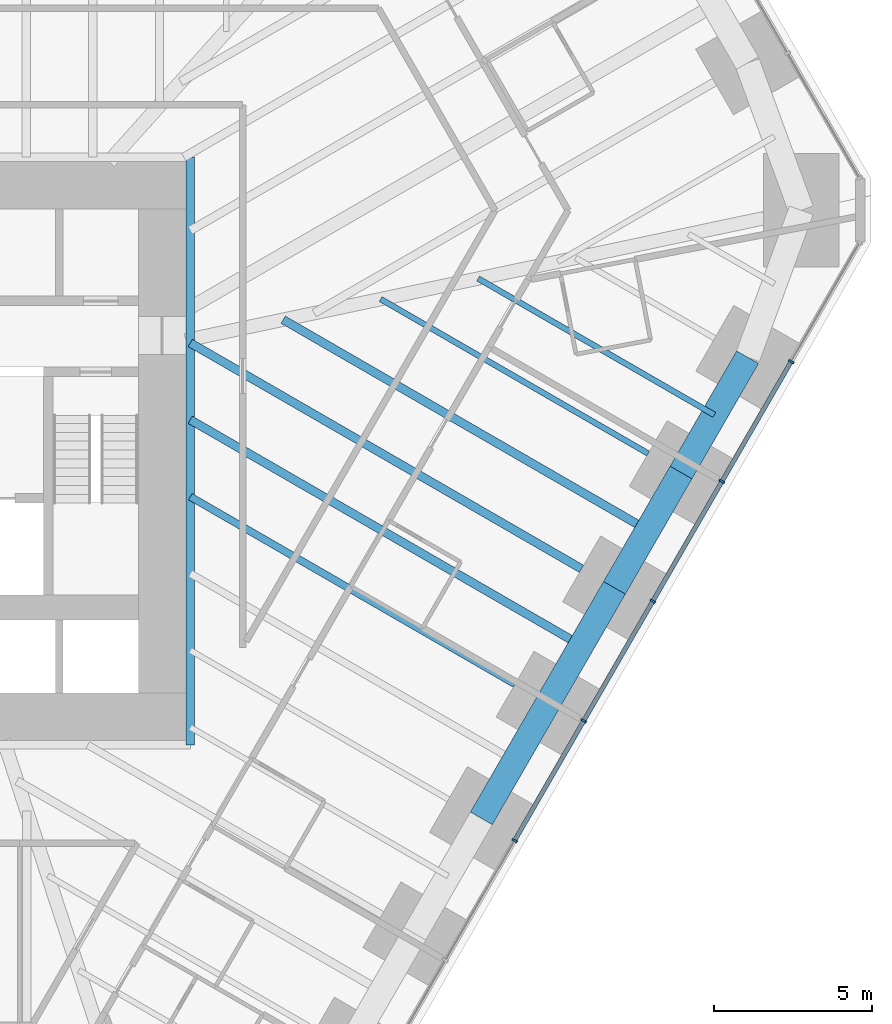
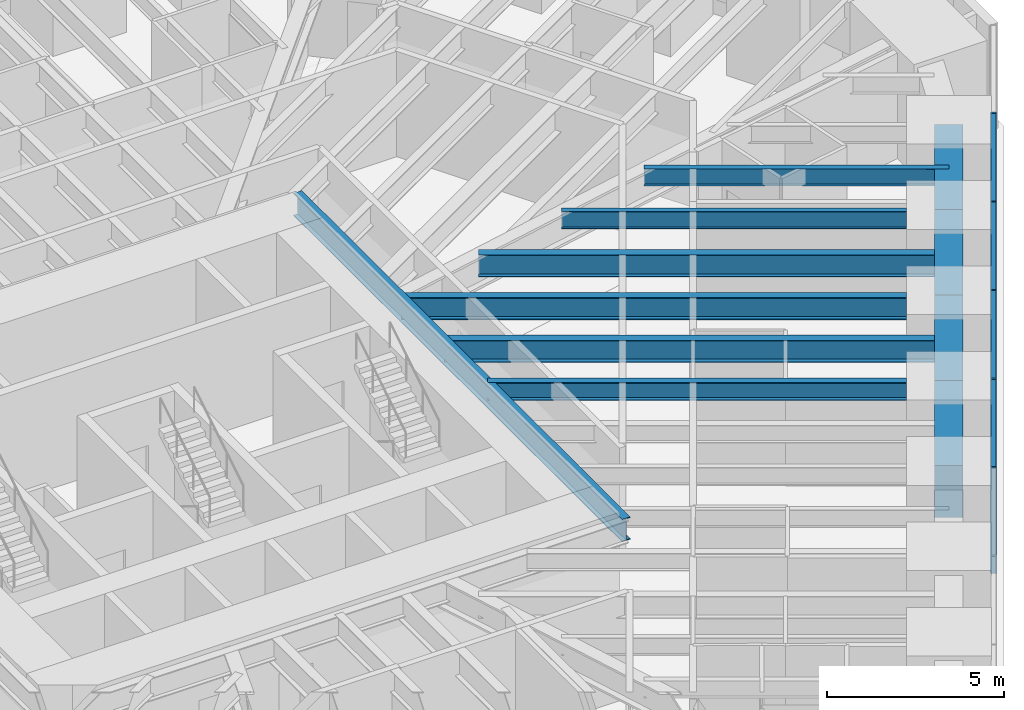
# One storey, part 6 of 17: 11 beams, 9 members, 1 element without a shape of its own.
"""IFC4 building model written with IfcOpenShell, lengths in metres."""

from ifc_helpers import new_model, si_unit, direction, frame, origin, origin_2d, place, context, subcontext, project, spatial, rectangle, i_section, extrude, material, material_profile, profile_set, type_object, element, aggregate, save


model = new_model("IFC4")

# Units and contexts
model_context = context("Model", 3, precision=1e-05, world=origin(), true_north=direction((0.0, 1.0)))
body_context = subcontext(model_context, "Body", "Model", "MODEL_VIEW")
ifc_project = project(units=[si_unit("LENGTHUNIT", "METRE"), si_unit("AREAUNIT", "SQUARE_METRE"), si_unit("VOLUMEUNIT", "CUBIC_METRE"), si_unit("PLANEANGLEUNIT", "RADIAN"), si_unit("MASSUNIT", "GRAM", prefix="KILO")], contexts=[model_context])

# Site, building, storey
site_placement = place(None, origin())
site = spatial("IfcSite", under=ifc_project, at=site_placement, CompositionType="ELEMENT")
building_placement = place(site_placement, origin())
building = spatial("IfcBuilding", under=site, at=building_placement, Name="Sandreach Pilgrim Tower", CompositionType="ELEMENT")
storey_placement = place(building_placement, frame((0.0, 0.0, 34.39990234375)))
storey = spatial("IfcBuildingStorey", under=building, at=storey_placement, Name="L07", CompositionType="ELEMENT", Elevation=34.39990234375)

# Curtain wall, members
ifc_material_1 = material(Name="Aluminium framed curtain wall", Category="aluminium")
curtain_wall_type = type_object("IfcCurtainWallType", Name="Hostel tower curtain wall", PredefinedType="NOTDEFINED", material=ifc_material_1)
curtain_wall_placement = place(storey_placement, origin())
curtain_wall = element("IfcCurtainWall", 1, at=curtain_wall_placement, inside=storey, type_object=curtain_wall_type, Name="CW-1 L07 SE", PredefinedType="NOTDEFINED")
ifc_material_2 = material(Name="Aluminium extrusion", Category="aluminium")
ifc_material_profile_1 = material_profile(ifc_material_2, rectangle(XDim=0.06494140625, YDim=0.179931640625, at=origin_2d()), Name="CW-1M 65X180")
ifc_profile_set_1 = profile_set([ifc_material_profile_1], Name="Aluminium extrusion")
member_type_1 = type_object("IfcMemberType", Name="CW-1 mullion", PredefinedType="MULLION", material=ifc_profile_set_1)
member_1_placement = place(storey_placement, frame((28.390380859375, 1.2763671875, 0.0), z_axis=(0.0, 0.0, 1.0), x_axis=(-0.5, -0.866025403784, 0.0)))
member_1 = element("IfcMember", 2, at=member_1_placement, type_object=member_type_1, Name="CW-1 mullion 2", PredefinedType="MULLION", context=body_context, shape_type="SweptSolid", body=[
    extrude(rectangle(XDim=0.06494140625, YDim=0.179931640625, at=origin_2d()), origin(), (0.0, 0.0, 1.0), 3.64013671875),
])
member_2_placement = place(storey_placement, frame((26.20458984375, -2.509521484375, 0.0), z_axis=(0.0, 0.0, 1.0), x_axis=(-0.5, -0.866025403784, 0.0)))
member_2 = element("IfcMember", 3, at=member_2_placement, type_object=member_type_1, Name="CW-1 mullion 3", PredefinedType="MULLION", context=body_context, shape_type="SweptSolid", body=[
    extrude(rectangle(XDim=0.06494140625, YDim=0.179931640625, at=origin_2d()), origin(), (0.0, 0.0, 1.0), 3.64013671875),
])
member_3_placement = place(storey_placement, frame((24.018798828125, -6.29541015625, 0.0), z_axis=(0.0, 0.0, 1.0), x_axis=(-0.5, -0.866025403784, 0.0)))
member_3 = element("IfcMember", 4, at=member_3_placement, type_object=member_type_1, Name="CW-1 mullion 4", PredefinedType="MULLION", context=body_context, shape_type="SweptSolid", body=[
    extrude(rectangle(XDim=0.06494140625, YDim=0.179931640625, at=origin_2d()), origin(), (0.0, 0.0, 1.0), 3.64013671875),
])
member_4_placement = place(storey_placement, frame((21.8330078125, -10.081298828125, 0.0), z_axis=(0.0, 0.0, 1.0), x_axis=(-0.5, -0.866025403784, 0.0)))
member_4 = element("IfcMember", 5, at=member_4_placement, type_object=member_type_1, Name="CW-1 mullion 5", PredefinedType="MULLION", context=body_context, shape_type="SweptSolid", body=[
    extrude(rectangle(XDim=0.06494140625, YDim=0.179931640625, at=origin_2d()), origin(), (0.0, 0.0, 1.0), 3.64013671875),
])
member_5_placement = place(storey_placement, frame((19.647216796875, -13.8671875, 0.0), z_axis=(0.0, 0.0, 1.0), x_axis=(-0.5, -0.866025403784, 0.0)))
member_5 = element("IfcMember", 6, at=member_5_placement, type_object=member_type_1, Name="CW-1 mullion 6", PredefinedType="MULLION", context=body_context, shape_type="SweptSolid", body=[
    extrude(rectangle(XDim=0.06494140625, YDim=0.179931640625, at=origin_2d()), origin(), (0.0, 0.0, 1.0), 3.64013671875),
])
ifc_material_3 = material(Name="Aluminium extrusion", Category="aluminium")
ifc_material_profile_2 = material_profile(ifc_material_3, rectangle(XDim=0.139892578125, YDim=0.070068359375, at=origin_2d()), Name="CW-1T 140X70")
ifc_profile_set_2 = profile_set([ifc_material_profile_2], Name="Aluminium extrusion")
member_type_2 = type_object("IfcMemberType", Name="CW-1 transom", PredefinedType="USERDEFINED", material=ifc_profile_set_2)
member_6_placement = place(storey_placement, frame((28.374267578125, 1.248046875, 3.60498046875), z_axis=(-0.500016891966, -0.866015650984, 0.0), x_axis=(0.866015650984, -0.500016891966, 0.0)))
member_6 = element("IfcMember", 7, at=member_6_placement, type_object=member_type_2, Name="CW-1 head transom 2", ObjectType="TRANSOM", PredefinedType="USERDEFINED", context=body_context, shape_type="SweptSolid", body=[
    extrude(rectangle(XDim=0.139892578125, YDim=0.070068359375, at=origin_2d()), origin(), (0.0, 0.0, 1.0), 4.306396484375),
])
member_7_placement = place(storey_placement, frame((26.1884765625, -2.537841796875, 3.60498046875), z_axis=(-0.500016891966, -0.866015650984, 0.0), x_axis=(0.866015650984, -0.500016891966, 0.0)))
member_7 = element("IfcMember", 8, at=member_7_placement, type_object=member_type_2, Name="CW-1 head transom 3", ObjectType="TRANSOM", PredefinedType="USERDEFINED", context=body_context, shape_type="SweptSolid", body=[
    extrude(rectangle(XDim=0.139892578125, YDim=0.070068359375, at=origin_2d()), origin(), (0.0, 0.0, 1.0), 4.306396484375),
])
member_8_placement = place(storey_placement, frame((24.002685546875, -6.32373046875, 3.60498046875), z_axis=(-0.500016891966, -0.866015650984, 0.0), x_axis=(0.866015650984, -0.500016891966, 0.0)))
member_8 = element("IfcMember", 9, at=member_8_placement, type_object=member_type_2, Name="CW-1 head transom 4", ObjectType="TRANSOM", PredefinedType="USERDEFINED", context=body_context, shape_type="SweptSolid", body=[
    extrude(rectangle(XDim=0.139892578125, YDim=0.070068359375, at=origin_2d()), origin(), (0.0, 0.0, 1.0), 4.306396484375),
])
member_9_placement = place(storey_placement, frame((21.81689453125, -10.109619140625, 3.60498046875), z_axis=(-0.500016891966, -0.866015650984, 0.0), x_axis=(0.866015650984, -0.500016891966, 0.0)))
member_9 = element("IfcMember", 10, at=member_9_placement, type_object=member_type_2, Name="CW-1 head transom 5", ObjectType="TRANSOM", PredefinedType="USERDEFINED", context=body_context, shape_type="SweptSolid", body=[
    extrude(rectangle(XDim=0.139892578125, YDim=0.070068359375, at=origin_2d()), origin(), (0.0, 0.0, 1.0), 4.306396484375),
])
aggregate(curtain_wall, [member_1, member_2, member_3, member_4, member_5, member_6, member_7, member_8, member_9])

# Beams
ifc_material_4 = material(Name="Steel ASTM A992 Grade 50", Category="steel")
ifc_material_profile_3 = material_profile(ifc_material_4, i_section(OverallWidth=0.2666015625, OverallDepth=0.77978515625, WebThickness=0.0166015625, FlangeThickness=0.030029296875, at=origin_2d()), Name="W30X148")
ifc_profile_set_3 = profile_set([ifc_material_profile_3], Name="Steel ASTM A992 Grade 50")
beam_type_1 = type_object("IfcBeamType", Name="Core edge beam W30X148", PredefinedType="BEAM", material=ifc_profile_set_3)
beam_1_placement = place(storey_placement, frame((9.393310546875, 7.743408203125, 3.250244140625), z_axis=(0.0, -1.0, 0.0), x_axis=(1.0, 0.0, 0.0)))
element("IfcBeam", 11, at=beam_1_placement, inside=storey, type_object=beam_type_1, Name="BM L07 CEE", PredefinedType="BEAM", context=body_context, shape_type="SweptSolid", body=[
    extrude(i_section(OverallWidth=0.2666015625, OverallDepth=0.77978515625, WebThickness=0.0166015625, FlangeThickness=0.030029296875, at=origin_2d()), origin(), (0.0, 0.0, 1.0), 18.586669921875),
])
ifc_material_5 = material(Name="Steel ASTM A992 Grade 50", Category="steel")
ifc_material_profile_4 = material_profile(ifc_material_5, i_section(OverallWidth=0.1787109375, OverallDepth=0.60205078125, WebThickness=0.010986328125, FlangeThickness=0.014892578125, at=origin_2d()), Name="W24X62")
ifc_profile_set_4 = profile_set([ifc_material_profile_4], Name="Steel ASTM A992 Grade 50")
beam_type_2 = type_object("IfcBeamType", Name="Floor beam W24X62", PredefinedType="BEAM", material=ifc_profile_set_4)
beam_2_placement = place(storey_placement, frame((23.8720703125, -1.629638671875, 3.339111328125), z_axis=(-0.866025751498, 0.499999397742, 0.0), x_axis=(-0.499999397742, -0.866025751498, 0.0)))
element("IfcBeam", 12, at=beam_2_placement, inside=storey, type_object=beam_type_2, Name="BM L07 F15", PredefinedType="BEAM", context=body_context, shape_type="SweptSolid", body=[
    extrude(i_section(OverallWidth=0.1787109375, OverallDepth=0.60205078125, WebThickness=0.010986328125, FlangeThickness=0.014892578125, at=origin_2d()), origin(), (0.0, 0.0, 1.0), 9.767578125),
])
beam_3_placement = place(storey_placement, frame((25.9638671875, -0.40673828125, 3.339111328125), z_axis=(-0.866020100198, 0.500009185969, 0.0), x_axis=(-0.500009185969, -0.866020100198, 0.0)))
element("IfcBeam", 13, at=beam_3_placement, inside=storey, type_object=beam_type_2, Name="BM L07 FM14", PredefinedType="BEAM", context=body_context, shape_type="SweptSolid", body=[
    extrude(i_section(OverallWidth=0.1787109375, OverallDepth=0.60205078125, WebThickness=0.010986328125, FlangeThickness=0.014892578125, at=origin_2d()), origin(), (0.0, 0.0, 1.0), 8.623291015625),
])
ifc_material_6 = material(Name="Steel ASTM A992 Grade 50", Category="steel")
ifc_material_profile_5 = material_profile(ifc_material_6, i_section(OverallWidth=0.23046875, OverallDepth=0.6171875, WebThickness=0.01318359375, FlangeThickness=0.022216796875, at=origin_2d()), Name="W24X94")
ifc_profile_set_5 = profile_set([ifc_material_profile_5], Name="Steel ASTM A992 Grade 50")
beam_type_3 = type_object("IfcBeamType", Name="Floor beam W24X94", PredefinedType="BEAM", material=ifc_profile_set_5)
beam_4_placement = place(storey_placement, frame((19.662353515625, -8.92138671875, 3.33154296875), z_axis=(-0.866029924088, 0.499992170523, 0.0), x_axis=(-0.499992170523, -0.866029924088, 0.0)))
element("IfcBeam", 14, at=beam_4_placement, inside=storey, type_object=beam_type_3, Name="BM L07 F17", PredefinedType="BEAM", context=body_context, shape_type="SweptSolid", body=[
    extrude(i_section(OverallWidth=0.23046875, OverallDepth=0.6171875, WebThickness=0.01318359375, FlangeThickness=0.022216796875, at=origin_2d()), origin(), (0.0, 0.0, 1.0), 11.857666015625),
])
ifc_material_7 = material(Name="Steel ASTM A992 Grade 50", Category="steel")
ifc_material_profile_6 = material_profile(ifc_material_7, i_section(OverallWidth=0.2666015625, OverallDepth=0.761962890625, WebThickness=0.014404296875, FlangeThickness=0.021484375, at=origin_2d()), Name="W30X116")
ifc_profile_set_6 = profile_set([ifc_material_profile_6], Name="Steel ASTM A992 Grade 50")
beam_type_4 = type_object("IfcBeamType", Name="Floor beam W30X116", PredefinedType="BEAM", material=ifc_profile_set_6)
beam_5_placement = place(storey_placement, frame((21.76708984375, -5.275390625, 3.259033203125), z_axis=(-0.866024247282, 0.500002003116, 0.0), x_axis=(-0.500002003116, -0.866024247282, 0.0)))
element("IfcBeam", 15, at=beam_5_placement, inside=storey, type_object=beam_type_4, Name="BM L07 F16", PredefinedType="BEAM", context=body_context, shape_type="SweptSolid", body=[
    extrude(i_section(OverallWidth=0.2666015625, OverallDepth=0.761962890625, WebThickness=0.014404296875, FlangeThickness=0.021484375, at=origin_2d()), origin(), (0.0, 0.0, 1.0), 14.2880859375),
])
beam_6_placement = place(storey_placement, frame((23.85888671875, -4.052490234375, 3.259033203125), z_axis=(-0.866029213426, 0.499993401449, 0.0), x_axis=(-0.499993401449, -0.866029213426, 0.0)))
element("IfcBeam", 16, at=beam_6_placement, inside=storey, type_object=beam_type_4, Name="BM L07 FM15", PredefinedType="BEAM", context=body_context, shape_type="SweptSolid", body=[
    extrude(i_section(OverallWidth=0.2666015625, OverallDepth=0.761962890625, WebThickness=0.014404296875, FlangeThickness=0.021484375, at=origin_2d()), origin(), (0.0, 0.0, 1.0), 13.311767578125),
])
beam_7_placement = place(storey_placement, frame((21.75390625, -7.698486328125, 3.259033203125), z_axis=(-0.866022935671, 0.500004274874, 0.0), x_axis=(-0.500004274874, -0.866022935671, 0.0)))
element("IfcBeam", 17, at=beam_7_placement, inside=storey, type_object=beam_type_4, Name="BM L07 FM16", PredefinedType="BEAM", context=body_context, shape_type="SweptSolid", body=[
    extrude(i_section(OverallWidth=0.2666015625, OverallDepth=0.761962890625, WebThickness=0.014404296875, FlangeThickness=0.021484375, at=origin_2d()), origin(), (0.0, 0.0, 1.0), 14.27294921875),
])
ifc_material_8 = material(Name="Concrete 10000 psi", Category="concrete")
ifc_material_profile_7 = material_profile(ifc_material_8, rectangle(XDim=0.800048828125, YDim=1.800048828125, at=origin_2d()), Name="RC800X1800")
ifc_profile_set_7 = profile_set([ifc_material_profile_7], Name="Concrete 10000 psi")
beam_type_5 = type_object("IfcBeamType", Name="Spandrel beam RC800X1800", PredefinedType="SPANDREL", material=ifc_profile_set_7)
beam_8_placement = place(storey_placement, frame((27.016357421875, 1.416259765625, 2.739990234375), z_axis=(-0.499993523031, -0.866029143232, 0.0), x_axis=(0.866029143232, -0.499993523031, 0.0)))
element("IfcBeam", 18, at=beam_8_placement, inside=storey, type_object=beam_type_5, Name="BM L07 SP14", PredefinedType="SPANDREL", context=body_context, shape_type="SweptSolid", body=[
    extrude(rectangle(XDim=0.800048828125, YDim=1.800048828125, at=origin_2d()), origin(), (0.0, 0.0, 1.0), 4.2099609375),
])
beam_9_placement = place(storey_placement, frame((24.911376953125, -2.229736328125, 2.739990234375), z_axis=(-0.50001863446, -0.866014644907, 0.0), x_axis=(0.866014644907, -0.50001863446, 0.0)))
element("IfcBeam", 19, at=beam_9_placement, inside=storey, type_object=beam_type_5, Name="BM L07 SP15", PredefinedType="SPANDREL", context=body_context, shape_type="SweptSolid", body=[
    extrude(rectangle(XDim=0.800048828125, YDim=1.800048828125, at=origin_2d()), origin(), (0.0, 0.0, 1.0), 4.209716796875),
])
beam_10_placement = place(storey_placement, frame((22.806396484375, -5.87548828125, 2.739990234375), z_axis=(-0.499993523031, -0.866029143232, 0.0), x_axis=(0.866029143232, -0.499993523031, 0.0)))
element("IfcBeam", 20, at=beam_10_placement, inside=storey, type_object=beam_type_5, Name="BM L07 SP16", PredefinedType="SPANDREL", context=body_context, shape_type="SweptSolid", body=[
    extrude(rectangle(XDim=0.800048828125, YDim=1.800048828125, at=origin_2d()), origin(), (0.0, 0.0, 1.0), 4.2099609375),
])
beam_11_placement = place(storey_placement, frame((20.701416015625, -9.521484375, 2.739990234375), z_axis=(-0.50001863446, -0.866014644907, 0.0), x_axis=(0.866014644907, -0.50001863446, 0.0)))
element("IfcBeam", 21, at=beam_11_placement, inside=storey, type_object=beam_type_5, Name="BM L07 SP17", PredefinedType="SPANDREL", context=body_context, shape_type="SweptSolid", body=[
    extrude(rectangle(XDim=0.800048828125, YDim=1.800048828125, at=origin_2d()), origin(), (0.0, 0.0, 1.0), 4.209716796875),
])

save(model, "model.ifc")
